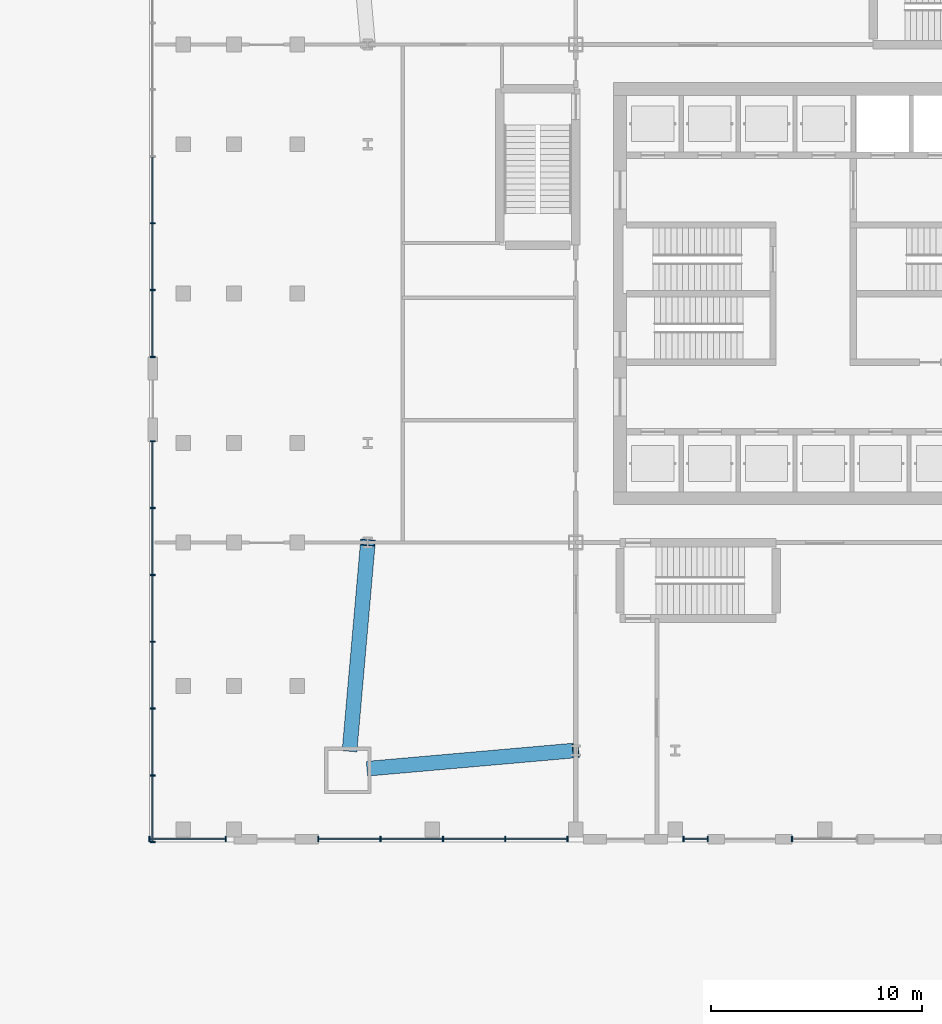
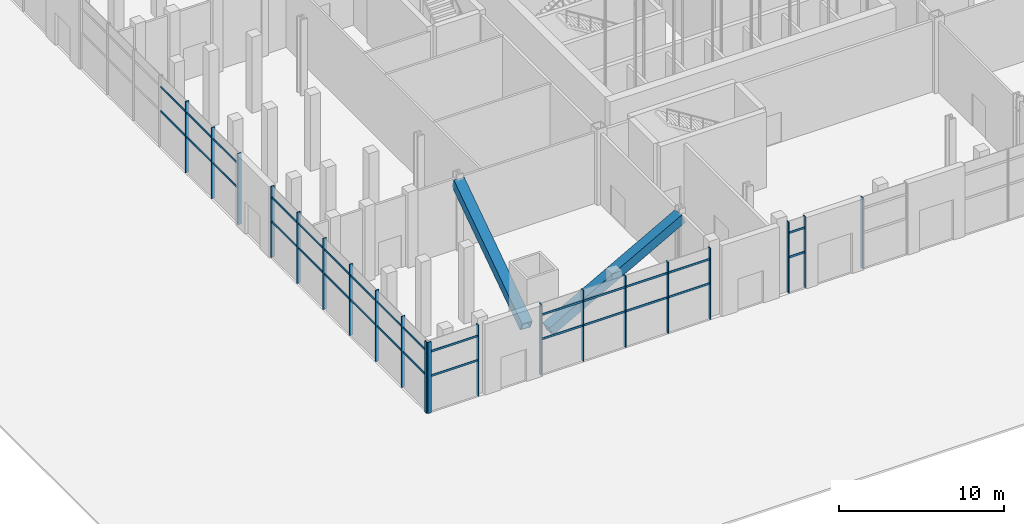
# One storey, part 2 of 27: 52 members, 6 elements without a shape of their own.
"""IFC4 building model written with IfcOpenShell, lengths in metres."""

from ifc_helpers import new_model, si_unit, direction, frame, origin, origin_2d, place, context, subcontext, project, spatial, rectangle, hollow_rectangle, extrude, material, material_profile, profile_set, type_object, element, aggregate, save


model = new_model("IFC4")

# Units and contexts
model_context = context("Model", 3, precision=1e-05, world=origin(), true_north=direction((0.0, 1.0)))
body_context = subcontext(model_context, "Body", "Model", "MODEL_VIEW")
ifc_project = project(units=[si_unit("LENGTHUNIT", "METRE"), si_unit("AREAUNIT", "SQUARE_METRE"), si_unit("VOLUMEUNIT", "CUBIC_METRE"), si_unit("PLANEANGLEUNIT", "RADIAN"), si_unit("MASSUNIT", "GRAM", prefix="KILO")], contexts=[model_context])

# Site, building, storey
site_placement = place(None, origin())
site = spatial("IfcSite", under=ifc_project, at=site_placement, CompositionType="ELEMENT")
building_placement = place(site_placement, origin())
building = spatial("IfcBuilding", under=site, at=building_placement, Name="Turquesa Mirador Hotel Tower", CompositionType="ELEMENT")
storey_placement = place(building_placement, origin())
storey = spatial("IfcBuildingStorey", under=building, at=storey_placement, Name="L00", CompositionType="ELEMENT", Elevation=0.0)

# Curtain wall, members
ifc_material_1 = material(Name="Aluminium extrusion", Category="aluminium")
curtain_wall_type = type_object("IfcCurtainWallType", Name="CW-1 LOBBY CURTAIN WALL", PredefinedType="USERDEFINED", material=ifc_material_1)
curtain_wall_1_placement = place(storey_placement, origin())
curtain_wall_1 = element("IfcCurtainWall", 1, at=curtain_wall_1_placement, inside=storey, type_object=curtain_wall_type, Name="CW-1 LOBBY CURTAIN WALL L00", ObjectType="CURTAIN WALL", PredefinedType="USERDEFINED")
ifc_material_2 = material(Name="Aluminium extrusion", Category="aluminium")
ifc_material_profile_1 = material_profile(ifc_material_2, rectangle(XDim=0.06494140625, YDim=0.25, at=origin_2d()), Name="MULLION 65X250")
ifc_profile_set_1 = profile_set([ifc_material_profile_1], Name="Aluminium extrusion")
member_type_1 = type_object("IfcMemberType", Name="CW MULLION 65X250", PredefinedType="MULLION", material=ifc_profile_set_1)
member_1_placement = place(storey_placement, frame((23.0, 19.14990234375, 0.0), z_axis=(0.0, 0.0, 1.0), x_axis=(1.0, 0.0, 0.0)))
member_1 = element("IfcMember", 2, at=member_1_placement, type_object=member_type_1, Name="Mullion", PredefinedType="MULLION", context=body_context, shape_type="SweptSolid", body=[
    extrude(rectangle(XDim=0.06494140625, YDim=0.25, at=origin_2d()), origin(), (0.0, 0.0, 1.0), 5.25),
])
member_2_placement = place(storey_placement, frame((26.615478515625, 19.14990234375, 0.0), z_axis=(0.0, 0.0, 1.0), x_axis=(1.0, 0.0, 0.0)))
member_2 = element("IfcMember", 3, at=member_2_placement, type_object=member_type_1, Name="Mullion", PredefinedType="MULLION", context=body_context, shape_type="SweptSolid", body=[
    extrude(rectangle(XDim=0.06494140625, YDim=0.25, at=origin_2d()), origin(), (0.0, 0.0, 1.0), 5.25),
])

curtain_wall_2_placement = place(storey_placement, origin())
curtain_wall_2 = element("IfcCurtainWall", 4, at=curtain_wall_2_placement, inside=storey, type_object=curtain_wall_type, Name="CW-1 LOBBY CURTAIN WALL L00", ObjectType="CURTAIN WALL", PredefinedType="USERDEFINED")
member_3_placement = place(storey_placement, frame((31.0, 19.14990234375, 0.0), z_axis=(0.0, 0.0, 1.0), x_axis=(1.0, 0.0, 0.0)))
member_3 = element("IfcMember", 5, at=member_3_placement, type_object=member_type_1, Name="Mullion", PredefinedType="MULLION", context=body_context, shape_type="SweptSolid", body=[
    extrude(rectangle(XDim=0.06494140625, YDim=0.25, at=origin_2d()), origin(), (0.0, 0.0, 1.0), 5.25),
])
member_4_placement = place(storey_placement, frame((33.953857421875, 19.14990234375, 0.0), z_axis=(0.0, 0.0, 1.0), x_axis=(1.0, 0.0, 0.0)))
member_4 = element("IfcMember", 6, at=member_4_placement, type_object=member_type_1, Name="Mullion", PredefinedType="MULLION", context=body_context, shape_type="SweptSolid", body=[
    extrude(rectangle(XDim=0.06494140625, YDim=0.25, at=origin_2d()), origin(), (0.0, 0.0, 1.0), 5.25),
])
member_5_placement = place(storey_placement, frame((36.90771484375, 19.14990234375, 0.0), z_axis=(0.0, 0.0, 1.0), x_axis=(1.0, 0.0, 0.0)))
member_5 = element("IfcMember", 7, at=member_5_placement, type_object=member_type_1, Name="Mullion", PredefinedType="MULLION", context=body_context, shape_type="SweptSolid", body=[
    extrude(rectangle(XDim=0.06494140625, YDim=0.25, at=origin_2d()), origin(), (0.0, 0.0, 1.0), 5.25),
])
member_6_placement = place(storey_placement, frame((39.861572265625, 19.14990234375, 0.0), z_axis=(0.0, 0.0, 1.0), x_axis=(1.0, 0.0, 0.0)))
member_6 = element("IfcMember", 8, at=member_6_placement, type_object=member_type_1, Name="Mullion", PredefinedType="MULLION", context=body_context, shape_type="SweptSolid", body=[
    extrude(rectangle(XDim=0.06494140625, YDim=0.25, at=origin_2d()), origin(), (0.0, 0.0, 1.0), 5.25),
])
member_7_placement = place(storey_placement, frame((42.8154296875, 19.14990234375, 0.0), z_axis=(0.0, 0.0, 1.0), x_axis=(1.0, 0.0, 0.0)))
member_7 = element("IfcMember", 9, at=member_7_placement, type_object=member_type_1, Name="Mullion", PredefinedType="MULLION", context=body_context, shape_type="SweptSolid", body=[
    extrude(rectangle(XDim=0.06494140625, YDim=0.25, at=origin_2d()), origin(), (0.0, 0.0, 1.0), 5.25),
])

curtain_wall_3_placement = place(storey_placement, origin())
curtain_wall_3 = element("IfcCurtainWall", 10, at=curtain_wall_3_placement, inside=storey, type_object=curtain_wall_type, Name="CW-1 LOBBY CURTAIN WALL L00", ObjectType="CURTAIN WALL", PredefinedType="USERDEFINED")
member_8_placement = place(storey_placement, frame((48.304443359375, 19.14990234375, 0.0), z_axis=(0.0, 0.0, 1.0), x_axis=(1.0, 0.0, 0.0)))
member_8 = element("IfcMember", 11, at=member_8_placement, type_object=member_type_1, Name="Mullion", PredefinedType="MULLION", context=body_context, shape_type="SweptSolid", body=[
    extrude(rectangle(XDim=0.06494140625, YDim=0.25, at=origin_2d()), origin(), (0.0, 0.0, 1.0), 5.25),
])
member_9_placement = place(storey_placement, frame((49.4599609375, 19.14990234375, 0.0), z_axis=(0.0, 0.0, 1.0), x_axis=(1.0, 0.0, 0.0)))
member_9 = element("IfcMember", 12, at=member_9_placement, type_object=member_type_1, Name="Mullion", PredefinedType="MULLION", context=body_context, shape_type="SweptSolid", body=[
    extrude(rectangle(XDim=0.06494140625, YDim=0.25, at=origin_2d()), origin(), (0.0, 0.0, 1.0), 5.25),
])

# Curtain wall, member
curtain_wall_4_placement = place(storey_placement, origin())
curtain_wall_4 = element("IfcCurtainWall", 13, at=curtain_wall_4_placement, inside=storey, type_object=curtain_wall_type, Name="CW-1 LOBBY CURTAIN WALL L00", ObjectType="CURTAIN WALL", PredefinedType="USERDEFINED")
member_10_placement = place(storey_placement, frame((53.4599609375, 19.14990234375, 0.0), z_axis=(0.0, 0.0, 1.0), x_axis=(1.0, 0.0, 0.0)))
member_10 = element("IfcMember", 14, at=member_10_placement, type_object=member_type_1, Name="Mullion", PredefinedType="MULLION", context=body_context, shape_type="SweptSolid", body=[
    extrude(rectangle(XDim=0.06494140625, YDim=0.25, at=origin_2d()), origin(), (0.0, 0.0, 1.0), 5.25),
])
aggregate(curtain_wall_4, [member_10])

# Curtain wall, members
curtain_wall_5_placement = place(storey_placement, origin())
curtain_wall_5 = element("IfcCurtainWall", 15, at=curtain_wall_5_placement, inside=storey, type_object=curtain_wall_type, Name="CW-1 LOBBY CURTAIN WALL L00", ObjectType="CURTAIN WALL", PredefinedType="USERDEFINED")
member_11_placement = place(storey_placement, frame((23.14990234375, 48.333251953125, 0.0), z_axis=(0.0, 0.0, 1.0), x_axis=(0.0, -1.0, 0.0)))
member_11 = element("IfcMember", 16, at=member_11_placement, type_object=member_type_1, Name="Mullion", PredefinedType="MULLION", context=body_context, shape_type="SweptSolid", body=[
    extrude(rectangle(XDim=0.06494140625, YDim=0.25, at=origin_2d()), origin(), (0.0, 0.0, 1.0), 5.25),
])
member_12_placement = place(storey_placement, frame((23.14990234375, 45.166748046875, 0.0), z_axis=(0.0, 0.0, 1.0), x_axis=(0.0, -1.0, 0.0)))
member_12 = element("IfcMember", 17, at=member_12_placement, type_object=member_type_1, Name="Mullion", PredefinedType="MULLION", context=body_context, shape_type="SweptSolid", body=[
    extrude(rectangle(XDim=0.06494140625, YDim=0.25, at=origin_2d()), origin(), (0.0, 0.0, 1.0), 5.25),
])
member_13_placement = place(storey_placement, frame((23.14990234375, 42.0, 0.0), z_axis=(0.0, 0.0, 1.0), x_axis=(0.0, -1.0, 0.0)))
member_13 = element("IfcMember", 18, at=member_13_placement, type_object=member_type_1, Name="Mullion", PredefinedType="MULLION", context=body_context, shape_type="SweptSolid", body=[
    extrude(rectangle(XDim=0.06494140625, YDim=0.25, at=origin_2d()), origin(), (0.0, 0.0, 1.0), 5.25),
])

curtain_wall_6_placement = place(storey_placement, origin())
curtain_wall_6 = element("IfcCurtainWall", 19, at=curtain_wall_6_placement, inside=storey, type_object=curtain_wall_type, Name="CW-1 LOBBY CURTAIN WALL L00", ObjectType="CURTAIN WALL", PredefinedType="USERDEFINED")
member_14_placement = place(storey_placement, frame((23.14990234375, 38.0, 0.0), z_axis=(0.0, 0.0, 1.0), x_axis=(0.0, -1.0, 0.0)))
member_14 = element("IfcMember", 20, at=member_14_placement, type_object=member_type_1, Name="Mullion", PredefinedType="MULLION", context=body_context, shape_type="SweptSolid", body=[
    extrude(rectangle(XDim=0.06494140625, YDim=0.25, at=origin_2d()), origin(), (0.0, 0.0, 1.0), 5.25),
])
member_15_placement = place(storey_placement, frame((23.14990234375, 34.833251953125, 0.0), z_axis=(0.0, 0.0, 1.0), x_axis=(0.0, -1.0, 0.0)))
member_15 = element("IfcMember", 21, at=member_15_placement, type_object=member_type_1, Name="Mullion", PredefinedType="MULLION", context=body_context, shape_type="SweptSolid", body=[
    extrude(rectangle(XDim=0.06494140625, YDim=0.25, at=origin_2d()), origin(), (0.0, 0.0, 1.0), 5.25),
])
member_16_placement = place(storey_placement, frame((23.14990234375, 31.666748046875, 0.0), z_axis=(0.0, 0.0, 1.0), x_axis=(0.0, -1.0, 0.0)))
member_16 = element("IfcMember", 22, at=member_16_placement, type_object=member_type_1, Name="Mullion", PredefinedType="MULLION", context=body_context, shape_type="SweptSolid", body=[
    extrude(rectangle(XDim=0.06494140625, YDim=0.25, at=origin_2d()), origin(), (0.0, 0.0, 1.0), 5.25),
])
member_17_placement = place(storey_placement, frame((23.14990234375, 28.5, 0.0), z_axis=(0.0, 0.0, 1.0), x_axis=(0.0, -1.0, 0.0)))
member_17 = element("IfcMember", 23, at=member_17_placement, type_object=member_type_1, Name="Mullion", PredefinedType="MULLION", context=body_context, shape_type="SweptSolid", body=[
    extrude(rectangle(XDim=0.06494140625, YDim=0.25, at=origin_2d()), origin(), (0.0, 0.0, 1.0), 5.25),
])
member_18_placement = place(storey_placement, frame((23.14990234375, 25.333251953125, 0.0), z_axis=(0.0, 0.0, 1.0), x_axis=(0.0, -1.0, 0.0)))
member_18 = element("IfcMember", 24, at=member_18_placement, type_object=member_type_1, Name="Mullion", PredefinedType="MULLION", context=body_context, shape_type="SweptSolid", body=[
    extrude(rectangle(XDim=0.06494140625, YDim=0.25, at=origin_2d()), origin(), (0.0, 0.0, 1.0), 5.25),
])
member_19_placement = place(storey_placement, frame((23.14990234375, 22.166748046875, 0.0), z_axis=(0.0, 0.0, 1.0), x_axis=(0.0, -1.0, 0.0)))
member_19 = element("IfcMember", 25, at=member_19_placement, type_object=member_type_1, Name="Mullion", PredefinedType="MULLION", context=body_context, shape_type="SweptSolid", body=[
    extrude(rectangle(XDim=0.06494140625, YDim=0.25, at=origin_2d()), origin(), (0.0, 0.0, 1.0), 5.25),
])
member_20_placement = place(storey_placement, frame((23.14990234375, 19.0, 0.0), z_axis=(0.0, 0.0, 1.0), x_axis=(0.0, -1.0, 0.0)))
member_20 = element("IfcMember", 26, at=member_20_placement, type_object=member_type_1, Name="Mullion", PredefinedType="MULLION", context=body_context, shape_type="SweptSolid", body=[
    extrude(rectangle(XDim=0.06494140625, YDim=0.25, at=origin_2d()), origin(), (0.0, 0.0, 1.0), 5.25),
])

# Member
ifc_material_3 = material(Name="Aluminium extrusion", Category="aluminium")
ifc_material_profile_2 = material_profile(ifc_material_3, rectangle(XDim=0.06494140625, YDim=0.14990234375, at=origin_2d()), Name="TRANSOM 65X150")
ifc_profile_set_2 = profile_set([ifc_material_profile_2], Name="Aluminium extrusion")
member_type_2 = type_object("IfcMemberType", Name="CW TRANSOM 65X150", PredefinedType="USERDEFINED", material=ifc_profile_set_2)
member_21_placement = place(storey_placement, frame((23.032470703125, 19.14990234375, 2.60009765625), z_axis=(1.0, 0.0, 0.0), x_axis=(0.0, 1.0, 0.0)))
member_21 = element("IfcMember", 27, at=member_21_placement, type_object=member_type_2, Name="Transom", ObjectType="TRANSOM", PredefinedType="USERDEFINED", context=body_context, shape_type="SweptSolid", body=[
    extrude(rectangle(XDim=0.06494140625, YDim=0.14990234375, at=origin_2d()), origin(), (0.0, 0.0, 1.0), 3.550537109375),
])

member_22_placement = place(storey_placement, frame((23.032470703125, 19.14990234375, 4.39990234375), z_axis=(1.0, 0.0, 0.0), x_axis=(0.0, 1.0, 0.0)))
member_22 = element("IfcMember", 28, at=member_22_placement, type_object=member_type_2, Name="Transom", ObjectType="TRANSOM", PredefinedType="USERDEFINED", context=body_context, shape_type="SweptSolid", body=[
    extrude(rectangle(XDim=0.06494140625, YDim=0.14990234375, at=origin_2d()), origin(), (0.0, 0.0, 1.0), 3.550537109375),
])

aggregate(curtain_wall_1, [member_1, member_2, member_21, member_22])

member_23_placement = place(storey_placement, frame((31.032470703125, 19.14990234375, 2.60009765625), z_axis=(1.0, 0.0, 0.0), x_axis=(0.0, 1.0, 0.0)))
member_23 = element("IfcMember", 29, at=member_23_placement, type_object=member_type_2, Name="Transom", ObjectType="TRANSOM", PredefinedType="USERDEFINED", context=body_context, shape_type="SweptSolid", body=[
    extrude(rectangle(XDim=0.06494140625, YDim=0.14990234375, at=origin_2d()), origin(), (0.0, 0.0, 1.0), 2.888916015625),
])

member_24_placement = place(storey_placement, frame((31.032470703125, 19.14990234375, 4.39990234375), z_axis=(1.0, 0.0, 0.0), x_axis=(0.0, 1.0, 0.0)))
member_24 = element("IfcMember", 30, at=member_24_placement, type_object=member_type_2, Name="Transom", ObjectType="TRANSOM", PredefinedType="USERDEFINED", context=body_context, shape_type="SweptSolid", body=[
    extrude(rectangle(XDim=0.06494140625, YDim=0.14990234375, at=origin_2d()), origin(), (0.0, 0.0, 1.0), 2.888916015625),
])

member_25_placement = place(storey_placement, frame((33.986328125, 19.14990234375, 2.60009765625), z_axis=(1.0, 0.0, 0.0), x_axis=(0.0, 1.0, 0.0)))
member_25 = element("IfcMember", 31, at=member_25_placement, type_object=member_type_2, Name="Transom", ObjectType="TRANSOM", PredefinedType="USERDEFINED", context=body_context, shape_type="SweptSolid", body=[
    extrude(rectangle(XDim=0.06494140625, YDim=0.14990234375, at=origin_2d()), origin(), (0.0, 0.0, 1.0), 2.888916015625),
])

member_26_placement = place(storey_placement, frame((33.986328125, 19.14990234375, 4.39990234375), z_axis=(1.0, 0.0, 0.0), x_axis=(0.0, 1.0, 0.0)))
member_26 = element("IfcMember", 32, at=member_26_placement, type_object=member_type_2, Name="Transom", ObjectType="TRANSOM", PredefinedType="USERDEFINED", context=body_context, shape_type="SweptSolid", body=[
    extrude(rectangle(XDim=0.06494140625, YDim=0.14990234375, at=origin_2d()), origin(), (0.0, 0.0, 1.0), 2.888916015625),
])

member_27_placement = place(storey_placement, frame((36.940185546875, 19.14990234375, 2.60009765625), z_axis=(1.0, 0.0, 0.0), x_axis=(0.0, 1.0, 0.0)))
member_27 = element("IfcMember", 33, at=member_27_placement, type_object=member_type_2, Name="Transom", ObjectType="TRANSOM", PredefinedType="USERDEFINED", context=body_context, shape_type="SweptSolid", body=[
    extrude(rectangle(XDim=0.06494140625, YDim=0.14990234375, at=origin_2d()), origin(), (0.0, 0.0, 1.0), 2.888916015625),
])

member_28_placement = place(storey_placement, frame((36.940185546875, 19.14990234375, 4.39990234375), z_axis=(1.0, 0.0, 0.0), x_axis=(0.0, 1.0, 0.0)))
member_28 = element("IfcMember", 34, at=member_28_placement, type_object=member_type_2, Name="Transom", ObjectType="TRANSOM", PredefinedType="USERDEFINED", context=body_context, shape_type="SweptSolid", body=[
    extrude(rectangle(XDim=0.06494140625, YDim=0.14990234375, at=origin_2d()), origin(), (0.0, 0.0, 1.0), 2.888916015625),
])

member_29_placement = place(storey_placement, frame((39.89404296875, 19.14990234375, 2.60009765625), z_axis=(1.0, 0.0, 0.0), x_axis=(0.0, 1.0, 0.0)))
member_29 = element("IfcMember", 35, at=member_29_placement, type_object=member_type_2, Name="Transom", ObjectType="TRANSOM", PredefinedType="USERDEFINED", context=body_context, shape_type="SweptSolid", body=[
    extrude(rectangle(XDim=0.06494140625, YDim=0.14990234375, at=origin_2d()), origin(), (0.0, 0.0, 1.0), 2.888916015625),
])

member_30_placement = place(storey_placement, frame((39.89404296875, 19.14990234375, 4.39990234375), z_axis=(1.0, 0.0, 0.0), x_axis=(0.0, 1.0, 0.0)))
member_30 = element("IfcMember", 36, at=member_30_placement, type_object=member_type_2, Name="Transom", ObjectType="TRANSOM", PredefinedType="USERDEFINED", context=body_context, shape_type="SweptSolid", body=[
    extrude(rectangle(XDim=0.06494140625, YDim=0.14990234375, at=origin_2d()), origin(), (0.0, 0.0, 1.0), 2.888916015625),
])

aggregate(curtain_wall_2, [member_3, member_4, member_5, member_6, member_7, member_23, member_24, member_25, member_26, member_27, member_28, member_29, member_30])

member_31_placement = place(storey_placement, frame((48.3369140625, 19.14990234375, 2.60009765625), z_axis=(1.0, 0.0, 0.0), x_axis=(0.0, 1.0, 0.0)))
member_31 = element("IfcMember", 37, at=member_31_placement, type_object=member_type_2, Name="Transom", ObjectType="TRANSOM", PredefinedType="USERDEFINED", context=body_context, shape_type="SweptSolid", body=[
    extrude(rectangle(XDim=0.06494140625, YDim=0.14990234375, at=origin_2d()), origin(), (0.0, 0.0, 1.0), 1.090576171875),
])

member_32_placement = place(storey_placement, frame((48.3369140625, 19.14990234375, 4.39990234375), z_axis=(1.0, 0.0, 0.0), x_axis=(0.0, 1.0, 0.0)))
member_32 = element("IfcMember", 38, at=member_32_placement, type_object=member_type_2, Name="Transom", ObjectType="TRANSOM", PredefinedType="USERDEFINED", context=body_context, shape_type="SweptSolid", body=[
    extrude(rectangle(XDim=0.06494140625, YDim=0.14990234375, at=origin_2d()), origin(), (0.0, 0.0, 1.0), 1.090576171875),
])

aggregate(curtain_wall_3, [member_8, member_9, member_31, member_32])

member_33_placement = place(storey_placement, frame((23.14990234375, 51.467529296875, 2.60009765625), z_axis=(0.0, -1.0, 0.0), x_axis=(1.0, 0.0, 0.0)))
member_33 = element("IfcMember", 39, at=member_33_placement, type_object=member_type_2, Name="Transom", ObjectType="TRANSOM", PredefinedType="USERDEFINED", context=body_context, shape_type="SweptSolid", body=[
    extrude(rectangle(XDim=0.06494140625, YDim=0.14990234375, at=origin_2d()), origin(), (0.0, 0.0, 1.0), 3.101806640625),
])

member_34_placement = place(storey_placement, frame((23.14990234375, 51.467529296875, 4.39990234375), z_axis=(0.0, -1.0, 0.0), x_axis=(1.0, 0.0, 0.0)))
member_34 = element("IfcMember", 40, at=member_34_placement, type_object=member_type_2, Name="Transom", ObjectType="TRANSOM", PredefinedType="USERDEFINED", context=body_context, shape_type="SweptSolid", body=[
    extrude(rectangle(XDim=0.06494140625, YDim=0.14990234375, at=origin_2d()), origin(), (0.0, 0.0, 1.0), 3.101806640625),
])

member_35_placement = place(storey_placement, frame((23.14990234375, 48.30078125, 2.60009765625), z_axis=(0.0, -1.0, 0.0), x_axis=(1.0, 0.0, 0.0)))
member_35 = element("IfcMember", 41, at=member_35_placement, type_object=member_type_2, Name="Transom", ObjectType="TRANSOM", PredefinedType="USERDEFINED", context=body_context, shape_type="SweptSolid", body=[
    extrude(rectangle(XDim=0.06494140625, YDim=0.14990234375, at=origin_2d()), origin(), (0.0, 0.0, 1.0), 3.1015625),
])

member_36_placement = place(storey_placement, frame((23.14990234375, 48.30078125, 4.39990234375), z_axis=(0.0, -1.0, 0.0), x_axis=(1.0, 0.0, 0.0)))
member_36 = element("IfcMember", 42, at=member_36_placement, type_object=member_type_2, Name="Transom", ObjectType="TRANSOM", PredefinedType="USERDEFINED", context=body_context, shape_type="SweptSolid", body=[
    extrude(rectangle(XDim=0.06494140625, YDim=0.14990234375, at=origin_2d()), origin(), (0.0, 0.0, 1.0), 3.1015625),
])

member_37_placement = place(storey_placement, frame((23.14990234375, 45.13427734375, 2.60009765625), z_axis=(0.0, -1.0, 0.0), x_axis=(1.0, 0.0, 0.0)))
member_37 = element("IfcMember", 43, at=member_37_placement, type_object=member_type_2, Name="Transom", ObjectType="TRANSOM", PredefinedType="USERDEFINED", context=body_context, shape_type="SweptSolid", body=[
    extrude(rectangle(XDim=0.06494140625, YDim=0.14990234375, at=origin_2d()), origin(), (0.0, 0.0, 1.0), 3.101806640625),
])

member_38_placement = place(storey_placement, frame((23.14990234375, 45.13427734375, 4.39990234375), z_axis=(0.0, -1.0, 0.0), x_axis=(1.0, 0.0, 0.0)))
member_38 = element("IfcMember", 44, at=member_38_placement, type_object=member_type_2, Name="Transom", ObjectType="TRANSOM", PredefinedType="USERDEFINED", context=body_context, shape_type="SweptSolid", body=[
    extrude(rectangle(XDim=0.06494140625, YDim=0.14990234375, at=origin_2d()), origin(), (0.0, 0.0, 1.0), 3.101806640625),
])

aggregate(curtain_wall_5, [member_11, member_12, member_13, member_33, member_34, member_35, member_36, member_37, member_38])

member_39_placement = place(storey_placement, frame((23.14990234375, 37.967529296875, 2.60009765625), z_axis=(0.0, -1.0, 0.0), x_axis=(1.0, 0.0, 0.0)))
member_39 = element("IfcMember", 45, at=member_39_placement, type_object=member_type_2, Name="Transom", ObjectType="TRANSOM", PredefinedType="USERDEFINED", context=body_context, shape_type="SweptSolid", body=[
    extrude(rectangle(XDim=0.06494140625, YDim=0.14990234375, at=origin_2d()), origin(), (0.0, 0.0, 1.0), 3.101806640625),
])

member_40_placement = place(storey_placement, frame((23.14990234375, 37.967529296875, 4.39990234375), z_axis=(0.0, -1.0, 0.0), x_axis=(1.0, 0.0, 0.0)))
member_40 = element("IfcMember", 46, at=member_40_placement, type_object=member_type_2, Name="Transom", ObjectType="TRANSOM", PredefinedType="USERDEFINED", context=body_context, shape_type="SweptSolid", body=[
    extrude(rectangle(XDim=0.06494140625, YDim=0.14990234375, at=origin_2d()), origin(), (0.0, 0.0, 1.0), 3.101806640625),
])

member_41_placement = place(storey_placement, frame((23.14990234375, 34.80078125, 2.60009765625), z_axis=(0.0, -1.0, 0.0), x_axis=(1.0, 0.0, 0.0)))
member_41 = element("IfcMember", 47, at=member_41_placement, type_object=member_type_2, Name="Transom", ObjectType="TRANSOM", PredefinedType="USERDEFINED", context=body_context, shape_type="SweptSolid", body=[
    extrude(rectangle(XDim=0.06494140625, YDim=0.14990234375, at=origin_2d()), origin(), (0.0, 0.0, 1.0), 3.1015625),
])

member_42_placement = place(storey_placement, frame((23.14990234375, 34.80078125, 4.39990234375), z_axis=(0.0, -1.0, 0.0), x_axis=(1.0, 0.0, 0.0)))
member_42 = element("IfcMember", 48, at=member_42_placement, type_object=member_type_2, Name="Transom", ObjectType="TRANSOM", PredefinedType="USERDEFINED", context=body_context, shape_type="SweptSolid", body=[
    extrude(rectangle(XDim=0.06494140625, YDim=0.14990234375, at=origin_2d()), origin(), (0.0, 0.0, 1.0), 3.1015625),
])

member_43_placement = place(storey_placement, frame((23.14990234375, 31.63427734375, 2.60009765625), z_axis=(0.0, -1.0, 0.0), x_axis=(1.0, 0.0, 0.0)))
member_43 = element("IfcMember", 49, at=member_43_placement, type_object=member_type_2, Name="Transom", ObjectType="TRANSOM", PredefinedType="USERDEFINED", context=body_context, shape_type="SweptSolid", body=[
    extrude(rectangle(XDim=0.06494140625, YDim=0.14990234375, at=origin_2d()), origin(), (0.0, 0.0, 1.0), 3.101806640625),
])

member_44_placement = place(storey_placement, frame((23.14990234375, 31.63427734375, 4.39990234375), z_axis=(0.0, -1.0, 0.0), x_axis=(1.0, 0.0, 0.0)))
member_44 = element("IfcMember", 50, at=member_44_placement, type_object=member_type_2, Name="Transom", ObjectType="TRANSOM", PredefinedType="USERDEFINED", context=body_context, shape_type="SweptSolid", body=[
    extrude(rectangle(XDim=0.06494140625, YDim=0.14990234375, at=origin_2d()), origin(), (0.0, 0.0, 1.0), 3.101806640625),
])

member_45_placement = place(storey_placement, frame((23.14990234375, 28.467529296875, 2.60009765625), z_axis=(0.0, -1.0, 0.0), x_axis=(1.0, 0.0, 0.0)))
member_45 = element("IfcMember", 51, at=member_45_placement, type_object=member_type_2, Name="Transom", ObjectType="TRANSOM", PredefinedType="USERDEFINED", context=body_context, shape_type="SweptSolid", body=[
    extrude(rectangle(XDim=0.06494140625, YDim=0.14990234375, at=origin_2d()), origin(), (0.0, 0.0, 1.0), 3.101806640625),
])

member_46_placement = place(storey_placement, frame((23.14990234375, 28.467529296875, 4.39990234375), z_axis=(0.0, -1.0, 0.0), x_axis=(1.0, 0.0, 0.0)))
member_46 = element("IfcMember", 52, at=member_46_placement, type_object=member_type_2, Name="Transom", ObjectType="TRANSOM", PredefinedType="USERDEFINED", context=body_context, shape_type="SweptSolid", body=[
    extrude(rectangle(XDim=0.06494140625, YDim=0.14990234375, at=origin_2d()), origin(), (0.0, 0.0, 1.0), 3.101806640625),
])

member_47_placement = place(storey_placement, frame((23.14990234375, 25.30078125, 2.60009765625), z_axis=(0.0, -1.0, 0.0), x_axis=(1.0, 0.0, 0.0)))
member_47 = element("IfcMember", 53, at=member_47_placement, type_object=member_type_2, Name="Transom", ObjectType="TRANSOM", PredefinedType="USERDEFINED", context=body_context, shape_type="SweptSolid", body=[
    extrude(rectangle(XDim=0.06494140625, YDim=0.14990234375, at=origin_2d()), origin(), (0.0, 0.0, 1.0), 3.1015625),
])

member_48_placement = place(storey_placement, frame((23.14990234375, 25.30078125, 4.39990234375), z_axis=(0.0, -1.0, 0.0), x_axis=(1.0, 0.0, 0.0)))
member_48 = element("IfcMember", 54, at=member_48_placement, type_object=member_type_2, Name="Transom", ObjectType="TRANSOM", PredefinedType="USERDEFINED", context=body_context, shape_type="SweptSolid", body=[
    extrude(rectangle(XDim=0.06494140625, YDim=0.14990234375, at=origin_2d()), origin(), (0.0, 0.0, 1.0), 3.1015625),
])

member_49_placement = place(storey_placement, frame((23.14990234375, 22.13427734375, 2.60009765625), z_axis=(0.0, -1.0, 0.0), x_axis=(1.0, 0.0, 0.0)))
member_49 = element("IfcMember", 55, at=member_49_placement, type_object=member_type_2, Name="Transom", ObjectType="TRANSOM", PredefinedType="USERDEFINED", context=body_context, shape_type="SweptSolid", body=[
    extrude(rectangle(XDim=0.06494140625, YDim=0.14990234375, at=origin_2d()), origin(), (0.0, 0.0, 1.0), 3.101806640625),
])

member_50_placement = place(storey_placement, frame((23.14990234375, 22.13427734375, 4.39990234375), z_axis=(0.0, -1.0, 0.0), x_axis=(1.0, 0.0, 0.0)))
member_50 = element("IfcMember", 56, at=member_50_placement, type_object=member_type_2, Name="Transom", ObjectType="TRANSOM", PredefinedType="USERDEFINED", context=body_context, shape_type="SweptSolid", body=[
    extrude(rectangle(XDim=0.06494140625, YDim=0.14990234375, at=origin_2d()), origin(), (0.0, 0.0, 1.0), 3.101806640625),
])

aggregate(curtain_wall_6, [member_14, member_15, member_16, member_17, member_18, member_19, member_20, member_39, member_40, member_41, member_42, member_43, member_44, member_45, member_46, member_47, member_48, member_49, member_50])

# Members
ifc_material_4 = material(Name="Steel ASTM A572 Grade 50", Category="steel")
ifc_material_profile_3 = material_profile(ifc_material_4, hollow_rectangle(XDim=0.699951171875, YDim=0.699951171875, WallThickness=0.06005859375, at=origin_2d()), Name="BOX700X700X60")
ifc_profile_set_3 = profile_set([ifc_material_profile_3], Name="Steel ASTM A572 Grade 50")
member_type_3 = type_object("IfcMemberType", Name="PODIUM BRACE BOX700X700X60", PredefinedType="BRACE", material=ifc_profile_set_3)
for number, where, z_axis, x_axis, name in (
    (57, (33.449951171875, 22.492431640625, 0.476318359375), (0.907748098081, 0.079850737895, 0.411846148566), (-0.087627369437, 0.996153323603, 0.0), "Podium brace S"),
    (58, (32.492431640625, 23.449951171875, 0.476318359375), (0.079850737895, 0.907748098081, 0.411846148566), (-0.996153323603, 0.087627369437, 0.0), "Podium brace W"),
):
    element("IfcMember", number, at=place(storey_placement, frame(where, z_axis=z_axis, x_axis=x_axis)), inside=storey, type_object=member_type_3, Name=name, PredefinedType="BRACE", context=body_context, shape_type="SweptSolid", body=[
        extrude(hollow_rectangle(XDim=0.699951171875, YDim=0.699951171875, WallThickness=0.06005859375, at=origin_2d()), origin(), (0.0, 0.0, 1.0), 10.740966796875),
    ])

save(model, "model.ifc")
